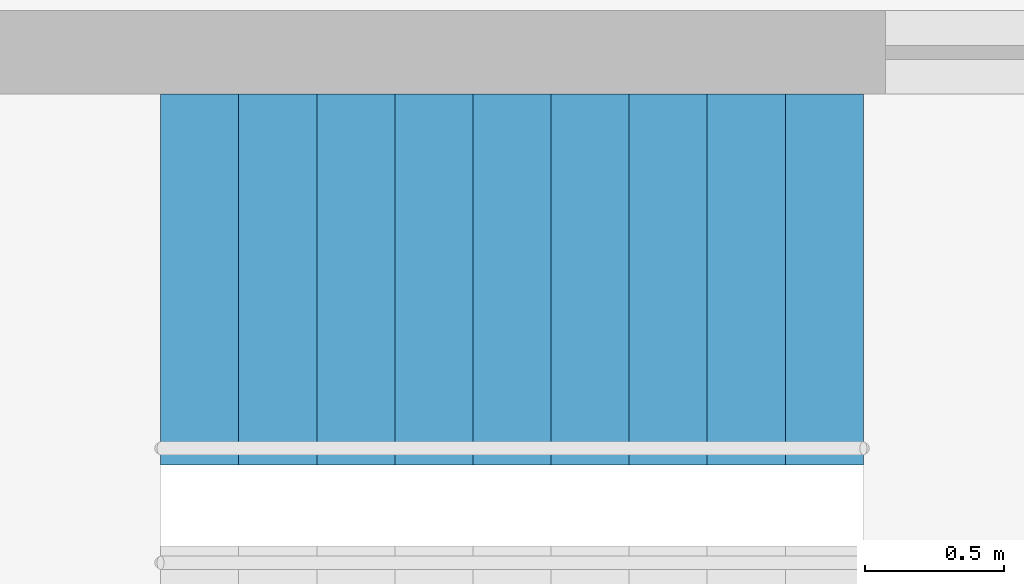
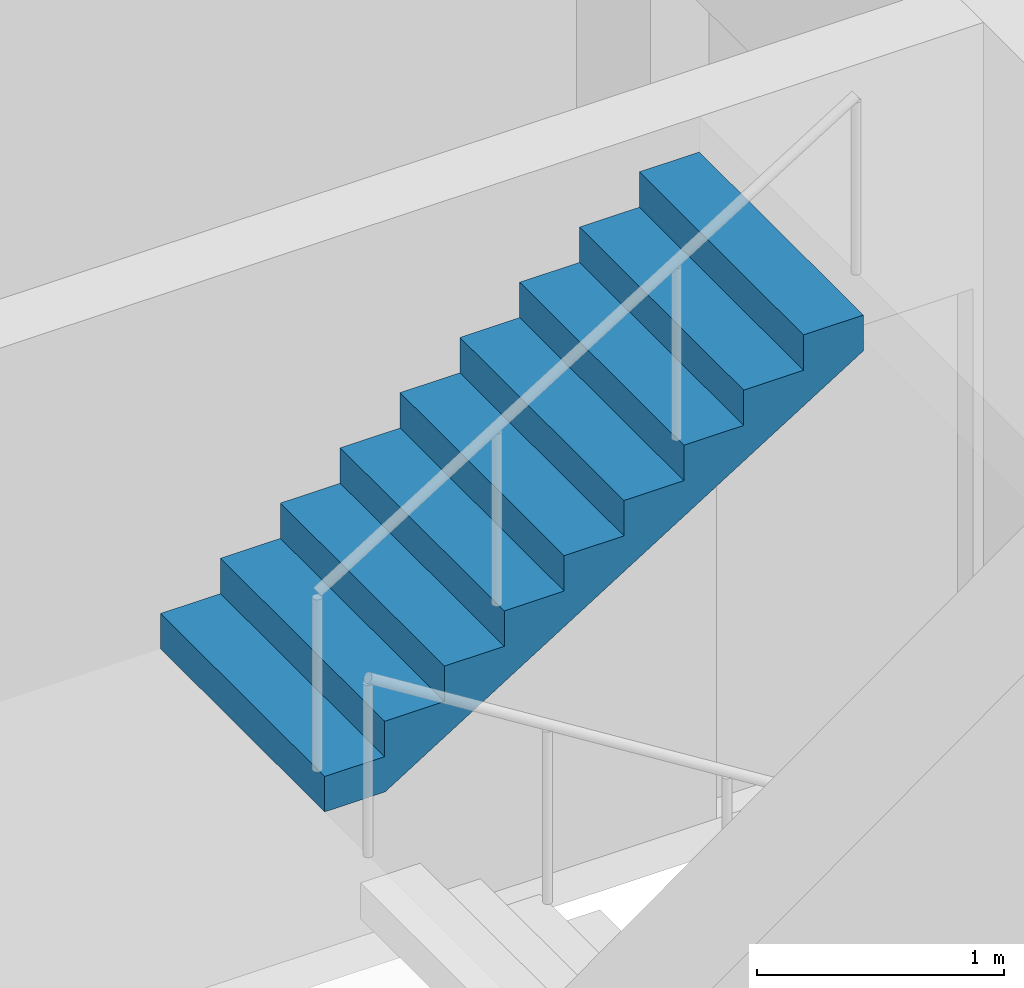
# One storey, part 9 of 10: 1 stair flight, 1 element without a shape of its own.
"""IFC4 building model written with IfcOpenShell, lengths in metres."""

from ifc_helpers import new_model, si_unit, direction, frame, origin, place, context, subcontext, project, spatial, polyline, outline, extrude, material, type_object, element, aggregate, save


model = new_model("IFC4")

# Units and contexts
model_context = context("Model", 3, precision=1e-05, world=origin(), true_north=direction((0.0, 1.0)))
body_context = subcontext(model_context, "Body", "Model", "MODEL_VIEW")
ifc_project = project(units=[si_unit("LENGTHUNIT", "METRE"), si_unit("AREAUNIT", "SQUARE_METRE"), si_unit("VOLUMEUNIT", "CUBIC_METRE"), si_unit("PLANEANGLEUNIT", "RADIAN"), si_unit("MASSUNIT", "GRAM", prefix="KILO")], contexts=[model_context])

# Site, building, storey
site_placement = place(None, origin())
site = spatial("IfcSite", under=ifc_project, at=site_placement, CompositionType="ELEMENT")
building_placement = place(site_placement, origin())
building = spatial("IfcBuilding", under=site, at=building_placement, Name="Turquesa Mirador Hotel Tower", CompositionType="ELEMENT")
storey_placement = place(building_placement, frame((0.0, 0.0, 60.0)))
storey = spatial("IfcBuildingStorey", under=building, at=storey_placement, Name="L15", CompositionType="ELEMENT", Elevation=60.0)

# Stair, stair flight
ifc_material_1 = material(Name="Concrete C35/45", Category="concrete")
stair_type = type_object("IfcStairType", Name="ESCAPE STAIR CORE", PredefinedType="HALF_TURN_STAIR", material=ifc_material_1)
stair_placement = place(storey_placement, origin())
stair = element("IfcStair", 1, at=stair_placement, inside=storey, type_object=stair_type, Name="Stair ST3 L15 to L16", PredefinedType="HALF_TURN_STAIR")
ifc_material_2 = material(Name="Concrete C35/45 precast flight", Category="concrete")
stair_flight_type = type_object("IfcStairFlightType", Name="STAIR FLIGHT 1330", PredefinedType="STRAIGHT", material=ifc_material_2)
stair_flight_placement = place(storey_placement, frame((60.550048828125, 47.43505859375, 1.75), z_axis=(0.0, 0.0, 1.0), x_axis=(1.0, 0.0, 0.0)))
stair_flight = element("IfcStairFlight", 2, at=stair_flight_placement, type_object=stair_flight_type, Name="ST3 flight 2", NumberOfRisers=10, NumberOfTreads=9, PredefinedType="STRAIGHT", RiserHeight=0.175, TreadLength=0.28, context=body_context, shape_type="SweptSolid", body=[
    extrude(outline(polyline([(0.0, 0.0), (0.0, 0.175048828125), (0.280029296875, 0.175048828125), (0.280029296875, 0.35009765625), (0.56005859375, 0.35009765625), (0.56005859375, 0.52490234375), (0.840087890625, 0.52490234375), (0.840087890625, 0.699951171875), (1.1201171875, 0.699951171875), (1.1201171875, 0.875), (1.39990234375, 0.875), (1.39990234375, 1.050048828125), (1.679931640625, 1.050048828125), (1.679931640625, 1.22509765625), (1.9599609375, 1.22509765625), (1.9599609375, 1.39990234375), (2.239990234375, 1.39990234375), (2.239990234375, 1.574951171875), (2.52001953125, 1.574951171875), (2.52001953125, 1.75), (2.52001953125, 1.398193359375), (0.28271484375, 0.0), (0.0, 0.0)])), frame((0.0, 0.6650390625, 0.0), z_axis=(0.0, -1.0, 0.0), x_axis=(1.0, 0.0, 0.0)), (0.0, 0.0, 1.0), 1.330078125),
])
aggregate(stair, [stair_flight])

save(model, "model.ifc")
